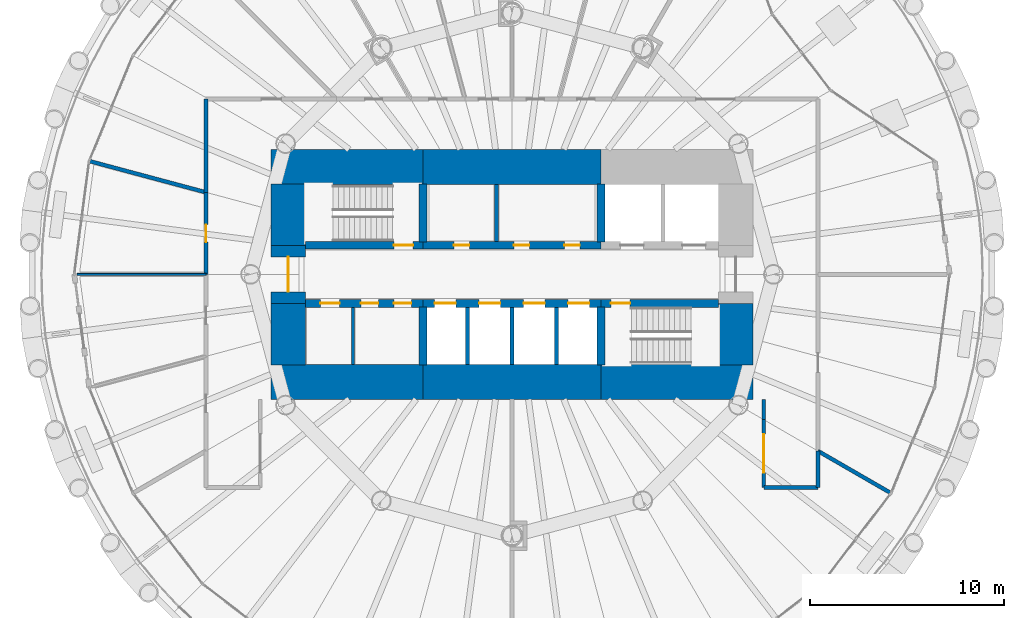
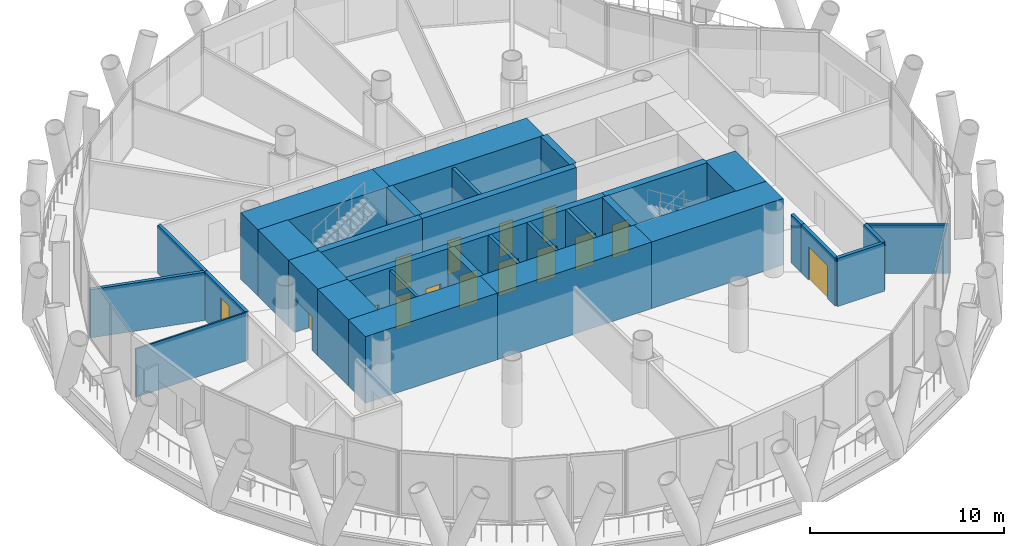
# One storey, part 10 of 16: 32 walls, 15 doors, 15 openings.
"""IFC4 building model written with IfcOpenShell, lengths in metres."""

from ifc_helpers import new_model, si_unit, direction, frame, frame_2d, origin, place, context, subcontext, project, spatial, rectangle, extrude, material, layer, layer_set, type_object, element, fill, save


model = new_model("IFC4")

# Units and contexts
model_context = context("Model", 3, precision=1e-05, world=origin(), true_north=direction((0.0, 1.0)))
body_context = subcontext(model_context, "Body", "Model", "MODEL_VIEW")
ifc_project = project(units=[si_unit("LENGTHUNIT", "METRE"), si_unit("AREAUNIT", "SQUARE_METRE"), si_unit("VOLUMEUNIT", "CUBIC_METRE"), si_unit("PLANEANGLEUNIT", "RADIAN"), si_unit("MASSUNIT", "GRAM", prefix="KILO")], contexts=[model_context])

# Site, building, storey
site_placement = place(None, origin())
site = spatial("IfcSite", under=ifc_project, at=site_placement, CompositionType="ELEMENT")
building_placement = place(site_placement, origin())
building = spatial("IfcBuilding", under=site, at=building_placement, Name="Qaws Media Tower", CompositionType="ELEMENT")
storey_placement = place(building_placement, frame((0.0, 0.0, 135.199951171875)))
storey = spatial("IfcBuildingStorey", under=building, at=storey_placement, Name="L30", CompositionType="ELEMENT", Elevation=135.199951171875)

# Wall, opening, door
ifc_material_1 = material(Name="Concrete C60/75", Category="concrete")
ifc_layer_1 = layer(ifc_material_1, 0.39990234375)
ifc_layer_set_1 = layer_set([ifc_layer_1], Name="Core inner wall 400")
wall_type_1 = type_object("IfcWallType", Name="Core inner wall 400", PredefinedType="SHEAR", material=ifc_layer_set_1)
wall_1_placement = place(storey_placement, frame((49.330078125, 51.5, 0.0), z_axis=(0.0, 0.0, 1.0), x_axis=(1.0, 0.0, 0.0)))
wall_1 = element("IfcWall", 1, at=wall_1_placement, inside=storey, type_object=wall_type_1, Name="W321 SW4 core wall SPNW L30", PredefinedType="SHEAR", context=body_context, shape_type="SweptSolid", body=[
    extrude(rectangle(XDim=6.06982421875, YDim=0.39990234375, at=frame_2d((3.034912109375, 0.0))), origin(), (0.0, 0.0, 1.0), 4.199951171875),
])
opening_1_placement = place(wall_1_placement, frame((4.570068359375, 0.0, 0.0)))
opening_1 = element("IfcOpeningElement", 2, at=opening_1_placement, cuts=wall_1, Name="Opening D1", PredefinedType="OPENING", context=body_context, shape_type="SweptSolid", body=[
    extrude(rectangle(XDim=1.0, YDim=2.10009765625, at=frame_2d((0.5, 1.050048828125))), frame((0.0, 0.2099609375, 0.0), z_axis=(0.0, -1.0, 0.0), x_axis=(1.0, 0.0, 0.0)), (0.0, 0.0, 1.0), 0.419921875),
])
ifc_material_2 = material(Name="Steel, fire rated", Category="steel")
door_type_1 = type_object("IfcDoorType", Name="Stair door 1000 FD120", OperationType="SINGLE_SWING_LEFT", PredefinedType="DOOR", material=ifc_material_2)
door_1_placement = place(opening_1_placement, origin())
door_1 = element("IfcDoor", 3, at=door_1_placement, inside=storey, type_object=door_type_1, Name="D1 stair S1 door L30 in wall W321", OperationType="SINGLE_SWING_LEFT", OverallHeight=2.10009765625, OverallWidth=1.0, PredefinedType="DOOR", context=body_context, shape_type="SweptSolid", body=[
    extrude(rectangle(XDim=1.0, YDim=2.10009765625, at=frame_2d((0.5, 1.050048828125))), frame((0.0, 0.02490234375, 0.0), z_axis=(0.0, -1.0, 0.0), x_axis=(1.0, 0.0, 0.0)), (0.0, 0.0, 1.0), 0.050048828125),
])
fill(opening_1, door_1)

# Wall, openings, doors
wall_2_placement = place(storey_placement, frame((55.39990234375, 51.5, 0.0), z_axis=(0.0, 0.0, 1.0), x_axis=(1.0, 0.0, 0.0)))
wall_2 = element("IfcWall", 4, at=wall_2_placement, inside=storey, type_object=wall_type_1, Name="W314 SW4 core wall SPN L30", PredefinedType="SHEAR", context=body_context, shape_type="SweptSolid", body=[
    extrude(rectangle(XDim=9.2001953125, YDim=0.39990234375, at=frame_2d((4.60009765625, 0.0))), origin(), (0.0, 0.0, 1.0), 4.199951171875),
])
opening_2_placement = place(wall_2_placement, frame((1.60009765625, 0.0, 0.0)))
opening_2 = element("IfcOpeningElement", 5, at=opening_2_placement, cuts=wall_2, Name="Opening D23", PredefinedType="OPENING", context=body_context, shape_type="SweptSolid", body=[
    extrude(rectangle(XDim=0.800048828125, YDim=2.10009765625, at=frame_2d((0.39990234375, 1.050048828125))), frame((0.0, 0.2099609375, 0.0), z_axis=(0.0, -1.0, 0.0), x_axis=(1.0, 0.0, 0.0)), (0.0, 0.0, 1.0), 0.419921875),
])
opening_3_placement = place(wall_2_placement, frame((4.699951171875, 0.0, 0.0)))
opening_3 = element("IfcOpeningElement", 6, at=opening_3_placement, cuts=wall_2, Name="Opening D23", PredefinedType="OPENING", context=body_context, shape_type="SweptSolid", body=[
    extrude(rectangle(XDim=0.800048828125, YDim=2.10009765625, at=frame_2d((0.39990234375, 1.050048828125))), frame((0.0, 0.2099609375, 0.0), z_axis=(0.0, -1.0, 0.0), x_axis=(1.0, 0.0, 0.0)), (0.0, 0.0, 1.0), 0.419921875),
])
opening_4_placement = place(wall_2_placement, frame((7.300048828125, 0.0, 0.0)))
opening_4 = element("IfcOpeningElement", 7, at=opening_4_placement, cuts=wall_2, Name="Opening D23", PredefinedType="OPENING", context=body_context, shape_type="SweptSolid", body=[
    extrude(rectangle(XDim=0.800048828125, YDim=2.10009765625, at=frame_2d((0.39990234375, 1.050048828125))), frame((0.0, 0.2099609375, 0.0), z_axis=(0.0, -1.0, 0.0), x_axis=(1.0, 0.0, 0.0)), (0.0, 0.0, 1.0), 0.419921875),
])
ifc_material_3 = material(Name="Steel, fire rated", Category="steel")
door_type_2 = type_object("IfcDoorType", Name="Core room door 800x2100", OperationType="SINGLE_SWING_LEFT", PredefinedType="DOOR", material=ifc_material_3)
door_2_placement = place(opening_2_placement, origin())
door_2 = element("IfcDoor", 8, at=door_2_placement, inside=storey, type_object=door_type_2, Name="D23 Ladies toilets door L30 in wall W314", OperationType="SINGLE_SWING_LEFT", OverallHeight=2.10009765625, OverallWidth=0.800048828125, PredefinedType="DOOR", context=body_context, shape_type="SweptSolid", body=[
    extrude(rectangle(XDim=0.800048828125, YDim=2.10009765625, at=frame_2d((0.39990234375, 1.050048828125))), frame((0.0, 0.02490234375, 0.0), z_axis=(0.0, -1.0, 0.0), x_axis=(1.0, 0.0, 0.0)), (0.0, 0.0, 1.0), 0.050048828125),
])
fill(opening_2, door_2)
door_3_placement = place(opening_3_placement, origin())
door_3 = element("IfcDoor", 9, at=door_3_placement, inside=storey, type_object=door_type_2, Name="D23 Gents toilets door L30 2 in wall W314", OperationType="SINGLE_SWING_LEFT", OverallHeight=2.10009765625, OverallWidth=0.800048828125, PredefinedType="DOOR", context=body_context, shape_type="SweptSolid", body=[
    extrude(rectangle(XDim=0.800048828125, YDim=2.10009765625, at=frame_2d((0.39990234375, 1.050048828125))), frame((0.0, 0.02490234375, 0.0), z_axis=(0.0, -1.0, 0.0), x_axis=(1.0, 0.0, 0.0)), (0.0, 0.0, 1.0), 0.050048828125),
])
fill(opening_3, door_3)
door_4_placement = place(opening_4_placement, origin())
door_4 = element("IfcDoor", 10, at=door_4_placement, inside=storey, type_object=door_type_2, Name="D23 Gents toilets door L30 3 in wall W314", OperationType="SINGLE_SWING_LEFT", OverallHeight=2.10009765625, OverallWidth=0.800048828125, PredefinedType="DOOR", context=body_context, shape_type="SweptSolid", body=[
    extrude(rectangle(XDim=0.800048828125, YDim=2.10009765625, at=frame_2d((0.39990234375, 1.050048828125))), frame((0.0, 0.02490234375, 0.0), z_axis=(0.0, -1.0, 0.0), x_axis=(1.0, 0.0, 0.0)), (0.0, 0.0, 1.0), 0.050048828125),
])
fill(opening_4, door_4)

wall_3_placement = place(storey_placement, frame((49.330078125, 48.5, 0.0), z_axis=(0.0, 0.0, 1.0), x_axis=(1.0, 0.0, 0.0)))
wall_3 = element("IfcWall", 11, at=wall_3_placement, inside=storey, type_object=wall_type_1, Name="W320 SW4 core wall SPSW L30", PredefinedType="SHEAR", context=body_context, shape_type="SweptSolid", body=[
    extrude(rectangle(XDim=6.06982421875, YDim=0.39990234375, at=frame_2d((3.034912109375, 0.0))), origin(), (0.0, 0.0, 1.0), 4.199951171875),
])
opening_5_placement = place(wall_3_placement, frame((0.77001953125, 0.0, 0.0)))
opening_5 = element("IfcOpeningElement", 12, at=opening_5_placement, cuts=wall_3, Name="Opening D4", PredefinedType="OPENING", context=body_context, shape_type="SweptSolid", body=[
    extrude(rectangle(XDim=1.0, YDim=2.10009765625, at=frame_2d((0.5, 1.050048828125))), frame((0.0, 0.2099609375, 0.0), z_axis=(0.0, -1.0, 0.0), x_axis=(1.0, 0.0, 0.0)), (0.0, 0.0, 1.0), 0.419921875),
])
opening_6_placement = place(wall_3_placement, frame((2.8701171875, 0.0, 0.0)))
opening_6 = element("IfcOpeningElement", 13, at=opening_6_placement, cuts=wall_3, Name="Opening D25", PredefinedType="OPENING", context=body_context, shape_type="SweptSolid", body=[
    extrude(rectangle(XDim=0.89990234375, YDim=2.10009765625, at=frame_2d((0.449951171875, 1.050048828125))), frame((0.0, 0.2099609375, 0.0), z_axis=(0.0, -1.0, 0.0), x_axis=(1.0, 0.0, 0.0)), (0.0, 0.0, 1.0), 0.419921875),
])
opening_7_placement = place(wall_3_placement, frame((4.570068359375, 0.0, 0.0)))
opening_7 = element("IfcOpeningElement", 14, at=opening_7_placement, cuts=wall_3, Name="Opening D25", PredefinedType="OPENING", context=body_context, shape_type="SweptSolid", body=[
    extrude(rectangle(XDim=0.89990234375, YDim=2.10009765625, at=frame_2d((0.449951171875, 1.050048828125))), frame((0.0, 0.2099609375, 0.0), z_axis=(0.0, -1.0, 0.0), x_axis=(1.0, 0.0, 0.0)), (0.0, 0.0, 1.0), 0.419921875),
])
ifc_material_4 = material(Name="Timber veneered", Category="wood")
door_type_3 = type_object("IfcDoorType", Name="Accessible WC door 1000", OperationType="SLIDING_TO_LEFT", PredefinedType="DOOR", material=ifc_material_4)
door_5_placement = place(opening_5_placement, origin())
door_5 = element("IfcDoor", 15, at=door_5_placement, inside=storey, type_object=door_type_3, Name="D4 toilet door 1 L30 in wall W320", OperationType="SLIDING_TO_LEFT", OverallHeight=2.10009765625, OverallWidth=1.0, PredefinedType="DOOR", context=body_context, shape_type="SweptSolid", body=[
    extrude(rectangle(XDim=1.0, YDim=2.10009765625, at=frame_2d((0.5, 1.050048828125))), frame((0.0, 0.02490234375, 0.0), z_axis=(0.0, -1.0, 0.0), x_axis=(1.0, 0.0, 0.0)), (0.0, 0.0, 1.0), 0.050048828125),
])
fill(opening_5, door_5)
ifc_material_5 = material(Name="Steel, fire rated", Category="steel")
door_type_4 = type_object("IfcDoorType", Name="Core service door 900", OperationType="SINGLE_SWING_RIGHT", PredefinedType="DOOR", material=ifc_material_5)
door_6_placement = place(opening_6_placement, origin())
door_6 = element("IfcDoor", 16, at=door_6_placement, inside=storey, type_object=door_type_4, Name="D25 toilet door 2 L30 in wall W320", OperationType="SINGLE_SWING_RIGHT", OverallHeight=2.10009765625, OverallWidth=0.89990234375, PredefinedType="DOOR", context=body_context, shape_type="SweptSolid", body=[
    extrude(rectangle(XDim=0.89990234375, YDim=2.10009765625, at=frame_2d((0.449951171875, 1.050048828125))), frame((0.0, 0.02490234375, 0.0), z_axis=(0.0, -1.0, 0.0), x_axis=(1.0, 0.0, 0.0)), (0.0, 0.0, 1.0), 0.050048828125),
])
fill(opening_6, door_6)
door_7_placement = place(opening_7_placement, origin())
door_7 = element("IfcDoor", 17, at=door_7_placement, inside=storey, type_object=door_type_4, Name="D25 toilet door 3 L30 in wall W320", OperationType="SINGLE_SWING_RIGHT", OverallHeight=2.10009765625, OverallWidth=0.89990234375, PredefinedType="DOOR", context=body_context, shape_type="SweptSolid", body=[
    extrude(rectangle(XDim=0.89990234375, YDim=2.10009765625, at=frame_2d((0.449951171875, 1.050048828125))), frame((0.0, 0.02490234375, 0.0), z_axis=(0.0, -1.0, 0.0), x_axis=(1.0, 0.0, 0.0)), (0.0, 0.0, 1.0), 0.050048828125),
])
fill(opening_7, door_7)

wall_4_placement = place(storey_placement, frame((55.39990234375, 48.5, 0.0), z_axis=(0.0, 0.0, 1.0), x_axis=(1.0, 0.0, 0.0)))
wall_4 = element("IfcWall", 18, at=wall_4_placement, inside=storey, type_object=wall_type_1, Name="W313 SW4 core wall SPS L30", PredefinedType="SHEAR", context=body_context, shape_type="SweptSolid", body=[
    extrude(rectangle(XDim=9.2001953125, YDim=0.39990234375, at=frame_2d((4.60009765625, 0.0))), origin(), (0.0, 0.0, 1.0), 4.199951171875),
])
opening_8_placement = place(wall_4_placement, frame((0.60009765625, 0.0, 0.0)))
opening_8 = element("IfcOpeningElement", 19, at=opening_8_placement, cuts=wall_4, Name="Opening LD", PredefinedType="OPENING", context=body_context, shape_type="SweptSolid", body=[
    extrude(rectangle(XDim=1.10009765625, YDim=2.10009765625, at=frame_2d((0.550048828125, 1.050048828125))), frame((0.0, 0.2099609375, 0.0), z_axis=(0.0, -1.0, 0.0), x_axis=(1.0, 0.0, 0.0)), (0.0, 0.0, 1.0), 0.419921875),
])
opening_9_placement = place(wall_4_placement, frame((2.89990234375, 0.0, 0.0)))
opening_9 = element("IfcOpeningElement", 20, at=opening_9_placement, cuts=wall_4, Name="Opening LD", PredefinedType="OPENING", context=body_context, shape_type="SweptSolid", body=[
    extrude(rectangle(XDim=1.10009765625, YDim=2.10009765625, at=frame_2d((0.550048828125, 1.050048828125))), frame((0.0, 0.2099609375, 0.0), z_axis=(0.0, -1.0, 0.0), x_axis=(1.0, 0.0, 0.0)), (0.0, 0.0, 1.0), 0.419921875),
])
opening_10_placement = place(wall_4_placement, frame((5.199951171875, 0.0, 0.0)))
opening_10 = element("IfcOpeningElement", 21, at=opening_10_placement, cuts=wall_4, Name="Opening LD", PredefinedType="OPENING", context=body_context, shape_type="SweptSolid", body=[
    extrude(rectangle(XDim=1.10009765625, YDim=2.10009765625, at=frame_2d((0.550048828125, 1.050048828125))), frame((0.0, 0.2099609375, 0.0), z_axis=(0.0, -1.0, 0.0), x_axis=(1.0, 0.0, 0.0)), (0.0, 0.0, 1.0), 0.419921875),
])
opening_11_placement = place(wall_4_placement, frame((7.5, 0.0, 0.0)))
opening_11 = element("IfcOpeningElement", 22, at=opening_11_placement, cuts=wall_4, Name="Opening LD", PredefinedType="OPENING", context=body_context, shape_type="SweptSolid", body=[
    extrude(rectangle(XDim=1.10009765625, YDim=2.10009765625, at=frame_2d((0.550048828125, 1.050048828125))), frame((0.0, 0.2099609375, 0.0), z_axis=(0.0, -1.0, 0.0), x_axis=(1.0, 0.0, 0.0)), (0.0, 0.0, 1.0), 0.419921875),
])
ifc_material_6 = material(Name="Steel, fire rated", Category="steel")
door_type_5 = type_object("IfcDoorType", Name="Lift landing door 1100", OperationType="SLIDING_TO_LEFT", PredefinedType="DOOR", material=ifc_material_6)
door_8_placement = place(opening_8_placement, origin())
door_8 = element("IfcDoor", 23, at=door_8_placement, inside=storey, type_object=door_type_5, Name="P5 landing door L30 in wall W313", OperationType="SLIDING_TO_LEFT", OverallHeight=2.10009765625, OverallWidth=1.10009765625, PredefinedType="DOOR", context=body_context, shape_type="SweptSolid", body=[
    extrude(rectangle(XDim=1.10009765625, YDim=2.10009765625, at=frame_2d((0.550048828125, 1.050048828125))), frame((0.0, 0.02490234375, 0.0), z_axis=(0.0, -1.0, 0.0), x_axis=(1.0, 0.0, 0.0)), (0.0, 0.0, 1.0), 0.050048828125),
])
fill(opening_8, door_8)
door_9_placement = place(opening_9_placement, origin())
door_9 = element("IfcDoor", 24, at=door_9_placement, inside=storey, type_object=door_type_5, Name="P6 landing door L30 in wall W313", OperationType="SLIDING_TO_LEFT", OverallHeight=2.10009765625, OverallWidth=1.10009765625, PredefinedType="DOOR", context=body_context, shape_type="SweptSolid", body=[
    extrude(rectangle(XDim=1.10009765625, YDim=2.10009765625, at=frame_2d((0.550048828125, 1.050048828125))), frame((0.0, 0.02490234375, 0.0), z_axis=(0.0, -1.0, 0.0), x_axis=(1.0, 0.0, 0.0)), (0.0, 0.0, 1.0), 0.050048828125),
])
fill(opening_9, door_9)
door_10_placement = place(opening_10_placement, origin())
door_10 = element("IfcDoor", 25, at=door_10_placement, inside=storey, type_object=door_type_5, Name="P7 landing door L30 in wall W313", OperationType="SLIDING_TO_LEFT", OverallHeight=2.10009765625, OverallWidth=1.10009765625, PredefinedType="DOOR", context=body_context, shape_type="SweptSolid", body=[
    extrude(rectangle(XDim=1.10009765625, YDim=2.10009765625, at=frame_2d((0.550048828125, 1.050048828125))), frame((0.0, 0.02490234375, 0.0), z_axis=(0.0, -1.0, 0.0), x_axis=(1.0, 0.0, 0.0)), (0.0, 0.0, 1.0), 0.050048828125),
])
fill(opening_10, door_10)
door_11_placement = place(opening_11_placement, origin())
door_11 = element("IfcDoor", 26, at=door_11_placement, inside=storey, type_object=door_type_5, Name="P8 landing door L30 in wall W313", OperationType="SLIDING_TO_LEFT", OverallHeight=2.10009765625, OverallWidth=1.10009765625, PredefinedType="DOOR", context=body_context, shape_type="SweptSolid", body=[
    extrude(rectangle(XDim=1.10009765625, YDim=2.10009765625, at=frame_2d((0.550048828125, 1.050048828125))), frame((0.0, 0.02490234375, 0.0), z_axis=(0.0, -1.0, 0.0), x_axis=(1.0, 0.0, 0.0)), (0.0, 0.0, 1.0), 0.050048828125),
])
fill(opening_11, door_11)

# Wall, opening, door
wall_5_placement = place(storey_placement, frame((64.60009765625, 48.5, 0.0), z_axis=(0.0, 0.0, 1.0), x_axis=(1.0, 0.0, 0.0)))
wall_5 = element("IfcWall", 27, at=wall_5_placement, inside=storey, type_object=wall_type_1, Name="W325 SW4 core wall SPSE L30", PredefinedType="SHEAR", context=body_context, shape_type="SweptSolid", body=[
    extrude(rectangle(XDim=6.06982421875, YDim=0.39990234375, at=frame_2d((3.034912109375, 0.0))), origin(), (0.0, 0.0, 1.0), 4.199951171875),
])
opening_12_placement = place(wall_5_placement, frame((0.5, 0.0, 0.0)))
opening_12 = element("IfcOpeningElement", 28, at=opening_12_placement, cuts=wall_5, Name="Opening D1", PredefinedType="OPENING", context=body_context, shape_type="SweptSolid", body=[
    extrude(rectangle(XDim=1.0, YDim=2.10009765625, at=frame_2d((0.5, 1.050048828125))), frame((0.0, 0.2099609375, 0.0), z_axis=(0.0, -1.0, 0.0), x_axis=(1.0, 0.0, 0.0)), (0.0, 0.0, 1.0), 0.419921875),
])
door_12_placement = place(opening_12_placement, origin())
door_12 = element("IfcDoor", 29, at=door_12_placement, inside=storey, type_object=door_type_1, Name="D1 stair S2 door L30 in wall W325", OperationType="SINGLE_SWING_LEFT", OverallHeight=2.10009765625, OverallWidth=1.0, PredefinedType="DOOR", context=body_context, shape_type="SweptSolid", body=[
    extrude(rectangle(XDim=1.0, YDim=2.10009765625, at=frame_2d((0.5, 1.050048828125))), frame((0.0, 0.02490234375, 0.0), z_axis=(0.0, -1.0, 0.0), x_axis=(1.0, 0.0, 0.0)), (0.0, 0.0, 1.0), 0.050048828125),
])
fill(opening_12, door_12)

# Walls
for number, where, z_axis, x_axis, name in (
    (30, (55.39990234375, 51.679931640625, 0.0), (0.0, 0.0, 1.0), (0.0, 1.0, 0.0), "W323 SW4 core wall XNW L30"),
    (31, (64.60009765625, 51.679931640625, 0.0), (0.0, 0.0, 1.0), (0.0, 1.0, 0.0), "W327 SW4 core wall XNE L30"),
    (32, (55.39990234375, 48.320068359375, 0.0), (0.0, 0.0, 1.0), (0.0, -1.0, 0.0), "W322 SW4 core wall XSW L30"),
    (33, (64.60009765625, 48.320068359375, 0.0), (0.0, 0.0, 1.0), (0.0, -1.0, 0.0), "W324 SW4 core wall XSE L30"),
):
    element("IfcWall", number, at=place(storey_placement, frame(where, z_axis=z_axis, x_axis=x_axis)), inside=storey, type_object=wall_type_1, Name=name, PredefinedType="SHEAR", context=body_context, shape_type="SweptSolid", body=[
        extrude(rectangle(XDim=2.989990234375, YDim=0.39990234375, at=frame_2d((1.4951171875, 0.0))), origin(), (0.0, 0.0, 1.0), 4.199951171875),
    ])
ifc_material_7 = material(Name="Concrete C60/75", Category="concrete")
ifc_layer_2 = layer(ifc_material_7, 1.800048828125)
ifc_layer_set_2 = layer_set([ifc_layer_2], Name="Core wall 1800")
wall_type_2 = type_object("IfcWallType", Name="Core wall 1800", PredefinedType="SHEAR", material=ifc_layer_set_2)
wall_6_placement = place(storey_placement, frame((47.550048828125, 55.550048828125, 0.0), z_axis=(0.0, 0.0, 1.0), x_axis=(1.0, 0.0, 0.0)))
element("IfcWall", 34, at=wall_6_placement, inside=storey, type_object=wall_type_2, Name="W417 SW11 core wall NW L30", PredefinedType="SHEAR", context=body_context, shape_type="SweptSolid", body=[
    extrude(rectangle(XDim=7.849853515625, YDim=1.800048828125, at=frame_2d((3.9248046875, 0.0))), origin(), (0.0, 0.0, 1.0), 4.199951171875),
])
wall_7_placement = place(storey_placement, frame((55.39990234375, 55.550048828125, 0.0), z_axis=(0.0, 0.0, 1.0), x_axis=(1.0, 0.0, 0.0)))
element("IfcWall", 35, at=wall_7_placement, inside=storey, type_object=wall_type_2, Name="W421 SW11 core wall N L30", PredefinedType="SHEAR", context=body_context, shape_type="SweptSolid", body=[
    extrude(rectangle(XDim=9.2001953125, YDim=1.800048828125, at=frame_2d((4.60009765625, 0.0))), origin(), (0.0, 0.0, 1.0), 4.199951171875),
])
wall_8_placement = place(storey_placement, frame((47.550048828125, 44.449951171875, 0.0), z_axis=(0.0, 0.0, 1.0), x_axis=(1.0, 0.0, 0.0)))
element("IfcWall", 36, at=wall_8_placement, inside=storey, type_object=wall_type_2, Name="W416 SW11 core wall SW L30", PredefinedType="SHEAR", context=body_context, shape_type="SweptSolid", body=[
    extrude(rectangle(XDim=7.849853515625, YDim=1.800048828125, at=frame_2d((3.9248046875, 0.0))), origin(), (0.0, 0.0, 1.0), 4.199951171875),
])
wall_9_placement = place(storey_placement, frame((55.39990234375, 44.449951171875, 0.0), z_axis=(0.0, 0.0, 1.0), x_axis=(1.0, 0.0, 0.0)))
element("IfcWall", 37, at=wall_9_placement, inside=storey, type_object=wall_type_2, Name="W420 SW11 core wall S L30", PredefinedType="SHEAR", context=body_context, shape_type="SweptSolid", body=[
    extrude(rectangle(XDim=9.2001953125, YDim=1.800048828125, at=frame_2d((4.60009765625, 0.0))), origin(), (0.0, 0.0, 1.0), 4.199951171875),
])
wall_10_placement = place(storey_placement, frame((64.60009765625, 44.449951171875, 0.0), z_axis=(0.0, 0.0, 1.0), x_axis=(1.0, 0.0, 0.0)))
element("IfcWall", 38, at=wall_10_placement, inside=storey, type_object=wall_type_2, Name="W422 SW11 core wall SE L30", PredefinedType="SHEAR", context=body_context, shape_type="SweptSolid", body=[
    extrude(rectangle(XDim=7.849853515625, YDim=1.800048828125, at=frame_2d((3.9248046875, 0.0))), origin(), (0.0, 0.0, 1.0), 4.199951171875),
])
for number, where, z_axis, x_axis, name in (
    (39, (71.550048828125, 45.330078125, 0.0), (0.0, 0.0, 1.0), (0.0, 1.0, 0.0), "W424 SW11 core wall ES L30"),
    (40, (48.449951171875, 45.330078125, 0.0), (0.0, 0.0, 1.0), (0.0, 1.0, 0.0), "W418 SW11 core wall WS L30"),
):
    element("IfcWall", number, at=place(storey_placement, frame(where, z_axis=z_axis, x_axis=x_axis)), inside=storey, type_object=wall_type_2, Name=name, PredefinedType="SHEAR", context=body_context, shape_type="SweptSolid", body=[
        extrude(rectangle(XDim=3.169921875, YDim=1.800048828125, at=frame_2d((1.5849609375, 0.0))), origin(), (0.0, 0.0, 1.0), 4.199951171875),
    ])

# Wall, opening, door
wall_11_placement = place(storey_placement, frame((48.449951171875, 48.5, 0.0), z_axis=(0.0, 0.0, 1.0), x_axis=(0.0, 1.0, 0.0)))
wall_11 = element("IfcWall", 41, at=wall_11_placement, inside=storey, type_object=wall_type_2, Name="W426 SW11 core wall W L30", PredefinedType="SHEAR", context=body_context, shape_type="SweptSolid", body=[
    extrude(rectangle(XDim=3.0, YDim=1.800048828125, at=frame_2d((1.5, 0.0))), origin(), (0.0, 0.0, 1.0), 4.199951171875),
])
opening_13_placement = place(wall_11_placement, frame((0.60009765625, 0.0, 0.0)))
opening_13 = element("IfcOpeningElement", 42, at=opening_13_placement, cuts=wall_11, Name="Opening D2", PredefinedType="OPENING", context=body_context, shape_type="SweptSolid", body=[
    extrude(rectangle(XDim=1.800048828125, YDim=2.10009765625, at=frame_2d((0.89990234375, 1.050048828125))), frame((0.0, 0.909912109375, 0.0), z_axis=(0.0, -1.0, 0.0), x_axis=(1.0, 0.0, 0.0)), (0.0, 0.0, 1.0), 1.820068359375),
])
ifc_material_8 = material(Name="Steel and glass, fire rated", Category="steel")
door_type_6 = type_object("IfcDoorType", Name="Lobby door pair 1800 FD60", OperationType="DOUBLE_DOOR_DOUBLE_SWING", PredefinedType="DOOR", material=ifc_material_8)
door_13_placement = place(opening_13_placement, origin())
door_13 = element("IfcDoor", 43, at=door_13_placement, inside=storey, type_object=door_type_6, Name="D2 core lobby door W L30 in wall W426", OperationType="DOUBLE_DOOR_DOUBLE_SWING", OverallHeight=2.10009765625, OverallWidth=1.800048828125, PredefinedType="DOOR", context=body_context, shape_type="SweptSolid", body=[
    extrude(rectangle(XDim=1.800048828125, YDim=2.10009765625, at=frame_2d((0.89990234375, 1.050048828125))), frame((0.0, 0.02490234375, 0.0), z_axis=(0.0, -1.0, 0.0), x_axis=(1.0, 0.0, 0.0)), (0.0, 0.0, 1.0), 0.050048828125),
])
fill(opening_13, door_13)

# Walls
wall_12_placement = place(storey_placement, frame((48.449951171875, 51.5, 0.0), z_axis=(0.0, 0.0, 1.0), x_axis=(0.0, 1.0, 0.0)))
element("IfcWall", 44, at=wall_12_placement, inside=storey, type_object=wall_type_2, Name="W419 SW11 core wall WN L30", PredefinedType="SHEAR", context=body_context, shape_type="SweptSolid", body=[
    extrude(rectangle(XDim=3.169921875, YDim=1.800048828125, at=frame_2d((1.5849609375, 0.0))), origin(), (0.0, 0.0, 1.0), 4.199951171875),
])
ifc_material_9 = material(Name="Gypsum board on 70 metal studs, single layer each side", Category="gypsum")
ifc_layer_3 = layer(ifc_material_9, 0.10009765625)
ifc_layer_set_3 = layer_set([ifc_layer_3], Name="Office stud partition 100")
wall_type_3 = type_object("IfcWallType", Name="Office stud partition 100", PredefinedType="PARTITIONING", material=ifc_layer_set_3)
wall_13_placement = place(storey_placement, frame((44.199951171875, 50.0, 0.0), z_axis=(0.0, 0.0, 1.0), x_axis=(-1.0, 0.0, 0.0)))
element("IfcWall", 45, at=wall_13_placement, inside=storey, type_object=wall_type_3, Name="W669 IW4 partition L30", PredefinedType="PARTITIONING", context=body_context, shape_type="SweptSolid", body=[
    extrude(rectangle(XDim=6.659912109375, YDim=0.10009765625, at=frame_2d((3.330078125, 0.0))), origin(), (0.0, 0.0, 1.0), 3.0400390625),
])
ifc_material_10 = material(Name="Gypsum board on galvanised metal studs, acoustic double stud, deflection head", Category="gypsum")
ifc_layer_4 = layer(ifc_material_10, 0.199951171875)
ifc_layer_set_4 = layer_set([ifc_layer_4], Name="Room partition 200")
wall_type_4 = type_object("IfcWallType", Name="Room partition 200", PredefinedType="PARTITIONING", material=ifc_layer_set_4)
wall_14_placement = place(storey_placement, frame((75.800048828125, 40.8779296875, 0.0), z_axis=(0.0, 0.0, 1.0), x_axis=(0.0, -1.0, 0.0)))
element("IfcWall", 46, at=wall_14_placement, inside=storey, type_object=wall_type_4, Name="W1232 IW3 partition L30", PredefinedType="PARTITIONING", context=body_context, shape_type="SweptSolid", body=[
    extrude(rectangle(XDim=1.8779296875, YDim=0.199951171875, at=frame_2d((0.93896484375, 0.0))), origin(), (0.0, 0.0, 1.0), 3.0400390625),
])
wall_15_placement = place(storey_placement, frame((75.800048828125, 39.0, 0.0), z_axis=(0.0, 0.0, 1.0), x_axis=(-1.0, 0.0, 0.0)))
element("IfcWall", 47, at=wall_15_placement, inside=storey, type_object=wall_type_4, Name="W1231 IW3 partition L30", PredefinedType="PARTITIONING", context=body_context, shape_type="SweptSolid", body=[
    extrude(rectangle(XDim=2.800048828125, YDim=0.199951171875, at=frame_2d((1.39990234375, 0.0))), origin(), (0.0, 0.0, 1.0), 3.0400390625),
])

# Wall, opening, door
wall_16_placement = place(storey_placement, frame((73.0, 39.0, 0.0), z_axis=(0.0, 0.0, 1.0), x_axis=(0.0, 1.0, 0.0)))
wall_16 = element("IfcWall", 48, at=wall_16_placement, inside=storey, type_object=wall_type_4, Name="W1228 IW3 partition L30", PredefinedType="PARTITIONING", context=body_context, shape_type="SweptSolid", body=[
    extrude(rectangle(XDim=3.494384765625, YDim=0.199951171875, at=frame_2d((1.7470703125, 0.0))), origin(), (0.0, 0.0, 1.0), 3.0400390625),
])
opening_14_placement = place(wall_16_placement, frame((0.747314453125, 0.0, 0.0)))
opening_14 = element("IfcOpeningElement", 49, at=opening_14_placement, cuts=wall_16, Name="Opening D6", PredefinedType="OPENING", context=body_context, shape_type="SweptSolid", body=[
    extrude(rectangle(XDim=2.0, YDim=2.10009765625, at=frame_2d((1.0, 1.050048828125))), frame((0.0, 0.10986328125, 0.0), z_axis=(0.0, -1.0, 0.0), x_axis=(1.0, 0.0, 0.0)), (0.0, 0.0, 1.0), 0.219970703125),
])
ifc_material_11 = material(Name="Steel, acoustic, fire rated", Category="steel")
door_type_7 = type_object("IfcDoorType", Name="Room door pair 2000", OperationType="DOUBLE_DOOR_DOUBLE_SWING", PredefinedType="DOOR", material=ifc_material_11)
door_14_placement = place(opening_14_placement, origin())
door_14 = element("IfcDoor", 50, at=door_14_placement, inside=storey, type_object=door_type_7, Name="D6 Paralegal office door L30 in wall W1228", OperationType="DOUBLE_DOOR_DOUBLE_SWING", OverallHeight=2.10009765625, OverallWidth=2.0, PredefinedType="DOOR", context=body_context, shape_type="SweptSolid", body=[
    extrude(rectangle(XDim=2.0, YDim=2.10009765625, at=frame_2d((1.0, 1.050048828125))), frame((0.0, 0.02490234375, 0.0), z_axis=(0.0, -1.0, 0.0), x_axis=(1.0, 0.0, 0.0)), (0.0, 0.0, 1.0), 0.050048828125),
])
fill(opening_14, door_14)

# Wall
wall_17_placement = place(storey_placement, frame((73.0, 42.494384765625, 0.0), z_axis=(0.0, 0.0, 1.0), x_axis=(0.0, 1.0, 0.0)))
element("IfcWall", 51, at=wall_17_placement, inside=storey, type_object=wall_type_4, Name="W1229 IW3 partition L30", PredefinedType="PARTITIONING", context=body_context, shape_type="SweptSolid", body=[
    extrude(rectangle(XDim=1.0556640625, YDim=0.199951171875, at=frame_2d((0.52783203125, 0.0))), origin(), (0.0, 0.0, 1.0), 3.0400390625),
])

# Wall, opening, door
wall_18_placement = place(storey_placement, frame((44.199951171875, 50.0, 0.0), z_axis=(0.0, 0.0, 1.0), x_axis=(0.0, 1.0, 0.0)))
wall_18 = element("IfcWall", 52, at=wall_18_placement, inside=storey, type_object=wall_type_4, Name="W1218 IW3 partition L30", PredefinedType="PARTITIONING", context=body_context, shape_type="SweptSolid", body=[
    extrude(rectangle(XDim=4.233642578125, YDim=0.199951171875, at=frame_2d((2.11669921875, 0.0))), origin(), (0.0, 0.0, 1.0), 3.0400390625),
])
opening_15_placement = place(wall_18_placement, frame((1.666748046875, 0.0, 0.0)))
opening_15 = element("IfcOpeningElement", 53, at=opening_15_placement, cuts=wall_18, Name="Opening D12", PredefinedType="OPENING", context=body_context, shape_type="SweptSolid", body=[
    extrude(rectangle(XDim=0.89990234375, YDim=2.39990234375, at=frame_2d((0.449951171875, 1.199951171875))), frame((0.0, 0.10986328125, 0.0), z_axis=(0.0, -1.0, 0.0), x_axis=(1.0, 0.0, 0.0)), (0.0, 0.0, 1.0), 0.219970703125),
])
ifc_material_12 = material(Name="Timber veneered, full height", Category="wood")
door_type_8 = type_object("IfcDoorType", Name="Office door 900x2400", OperationType="SINGLE_SWING_LEFT", PredefinedType="DOOR", material=ifc_material_12)
door_15_placement = place(opening_15_placement, origin())
door_15 = element("IfcDoor", 54, at=door_15_placement, inside=storey, type_object=door_type_8, Name="D12 Office door L30 in wall W1218", OperationType="SINGLE_SWING_LEFT", OverallHeight=2.39990234375, OverallWidth=0.89990234375, PredefinedType="DOOR", context=body_context, shape_type="SweptSolid", body=[
    extrude(rectangle(XDim=0.89990234375, YDim=2.39990234375, at=frame_2d((0.449951171875, 1.199951171875))), frame((0.0, 0.02490234375, 0.0), z_axis=(0.0, -1.0, 0.0), x_axis=(1.0, 0.0, 0.0)), (0.0, 0.0, 1.0), 0.050048828125),
])
fill(opening_15, door_15)

# Walls
wall_19_placement = place(storey_placement, frame((44.199951171875, 54.233642578125, 0.0), z_axis=(0.0, 0.0, 1.0), x_axis=(0.0, 1.0, 0.0)))
element("IfcWall", 55, at=wall_19_placement, inside=storey, type_object=wall_type_4, Name="W1219 IW3 partition L30", PredefinedType="PARTITIONING", context=body_context, shape_type="SweptSolid", body=[
    extrude(rectangle(XDim=4.81640625, YDim=0.199951171875, at=frame_2d((2.408203125, 0.0))), origin(), (0.0, 0.0, 1.0), 3.0400390625),
])
wall_20_placement = place(storey_placement, frame((44.197509765625, 54.234375, 0.0), z_axis=(0.0, 0.0, 1.0), x_axis=(-0.965923795283, 0.258826624802, 0.0)))
element("IfcWall", 56, at=wall_20_placement, inside=storey, type_object=wall_type_4, Name="W1278 IW3 partition L30", PredefinedType="PARTITIONING", context=body_context, shape_type="SweptSolid", body=[
    extrude(rectangle(XDim=6.199951171875, YDim=0.199951171875, at=frame_2d((3.10009765625, 0.0))), origin(), (0.0, 0.0, 1.0), 3.0400390625),
])
wall_21_placement = place(storey_placement, frame((75.79638671875, 40.8798828125, 0.0), z_axis=(0.0, 0.0, 1.0), x_axis=(0.866033125095, -0.499986626058, 0.0)))
element("IfcWall", 57, at=wall_21_placement, inside=storey, type_object=wall_type_4, Name="W1298 IW3 partition L30", PredefinedType="PARTITIONING", context=body_context, shape_type="SweptSolid", body=[
    extrude(rectangle(XDim=4.31982421875, YDim=0.199951171875, at=frame_2d((2.159912109375, 0.0))), origin(), (0.0, 0.0, 1.0), 3.0400390625),
])
wall_22_placement = place(storey_placement, frame((59.199951171875, 51.699951171875, 0.0), z_axis=(0.0, 0.0, 1.0), x_axis=(0.0, 1.0, 0.0)))
element("IfcWall", 58, at=wall_22_placement, inside=storey, type_object=wall_type_4, Name="W1284 IW3 core room partition 1 L30", PredefinedType="PARTITIONING", context=body_context, shape_type="SweptSolid", body=[
    extrude(rectangle(XDim=2.949951171875, YDim=0.199951171875, at=frame_2d((1.47509765625, 0.0))), origin(), (0.0, 0.0, 1.0), 4.0400390625),
])
ifc_material_13 = material(Name="Fire-rated gypsum board shaft wall on galvanised metal studs, deflection head", Category="gypsum")
ifc_layer_5 = layer(ifc_material_13, 0.199951171875)
ifc_layer_set_5 = layer_set([ifc_layer_5], Name="Shaft wall 200")
wall_type_5 = type_object("IfcWallType", Name="Shaft wall 200", PredefinedType="PARTITIONING", material=ifc_layer_set_5)
for number, where, z_axis, x_axis, name in (
    (59, (57.699951171875, 45.35009765625, 0.0), (0.0, 0.0, 1.0), (0.0, 1.0, 0.0), "W1860 IW1 shaft wall S1 L30"),
    (60, (60.0, 45.35009765625, 0.0), (0.0, 0.0, 1.0), (0.0, 1.0, 0.0), "W1861 IW1 shaft wall S2 L30"),
    (61, (62.300048828125, 45.35009765625, 0.0), (0.0, 0.0, 1.0), (0.0, 1.0, 0.0), "W1862 IW1 shaft wall S3 L30"),
):
    element("IfcWall", number, at=place(storey_placement, frame(where, z_axis=z_axis, x_axis=x_axis)), inside=storey, type_object=wall_type_5, Name=name, PredefinedType="PARTITIONING", context=body_context, shape_type="SweptSolid", body=[
        extrude(rectangle(XDim=2.949951171875, YDim=0.199951171875, at=frame_2d((1.47509765625, 0.0))), origin(), (0.0, 0.0, 1.0), 4.199951171875),
    ])
ifc_material_14 = material(Name="Gypsum board on galvanised metal studs, deflection head", Category="gypsum")
ifc_layer_6 = layer(ifc_material_14, 0.14990234375)
ifc_layer_set_6 = layer_set([ifc_layer_6], Name="WC partition 150")
wall_type_6 = type_object("IfcWallType", Name="WC partition 150", PredefinedType="PARTITIONING", material=ifc_layer_set_6)
wall_23_placement = place(storey_placement, frame((51.800048828125, 45.35009765625, 0.0), z_axis=(0.0, 0.0, 1.0), x_axis=(0.0, 1.0, 0.0)))
element("IfcWall", 62, at=wall_23_placement, inside=storey, type_object=wall_type_6, Name="W1912 IW2 toilet partition 1 L30", PredefinedType="PARTITIONING", context=body_context, shape_type="SweptSolid", body=[
    extrude(rectangle(XDim=2.949951171875, YDim=0.14990234375, at=frame_2d((1.47509765625, 0.0))), origin(), (0.0, 0.0, 1.0), 4.0400390625),
])

save(model, "model.ifc")
